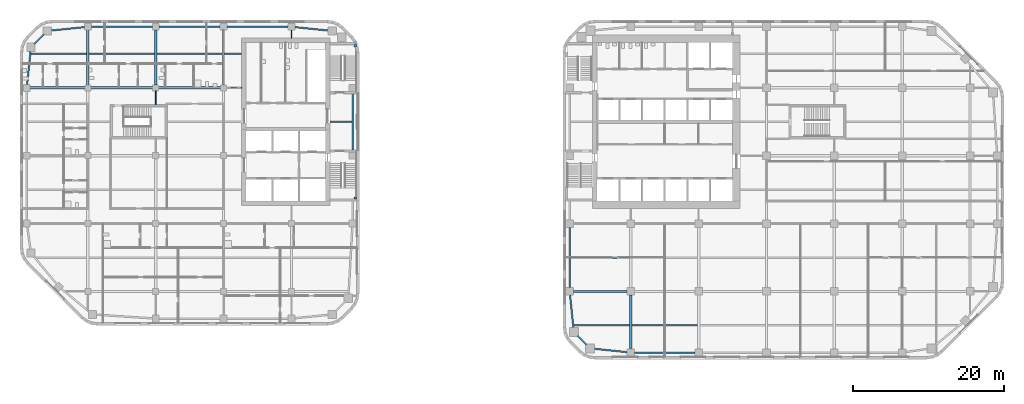
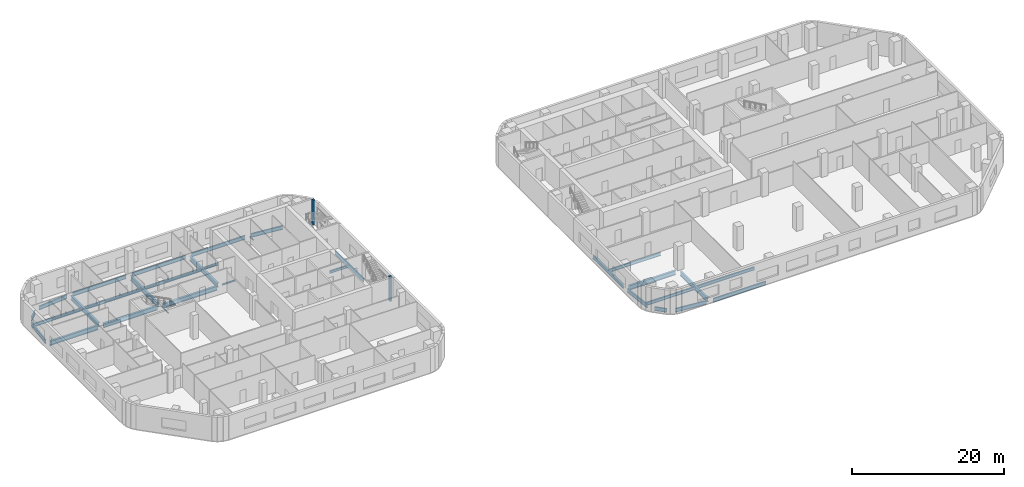
# One storey, part 2 of 16: 32 beams, 2 members.
"""IFC4 building model written with IfcOpenShell, lengths in metres."""

from ifc_helpers import new_model, si_unit, direction, frame, origin, origin_2d, place, context, subcontext, project, spatial, rectangle, i_section, extrude, material, material_profile, profile_set, type_object, element, save


model = new_model("IFC4")

# Units and contexts
model_context = context("Model", 3, precision=1e-05, world=origin(), true_north=direction((0.0, 1.0)))
body_context = subcontext(model_context, "Body", "Model", "MODEL_VIEW")
ifc_project = project(units=[si_unit("LENGTHUNIT", "METRE"), si_unit("AREAUNIT", "SQUARE_METRE"), si_unit("VOLUMEUNIT", "CUBIC_METRE"), si_unit("PLANEANGLEUNIT", "RADIAN"), si_unit("MASSUNIT", "GRAM", prefix="KILO")], contexts=[model_context])

# Site, building, storey
site_placement = place(None, origin())
site = spatial("IfcSite", under=ifc_project, at=site_placement, CompositionType="ELEMENT")
building_placement = place(site_placement, origin())
building = spatial("IfcBuilding", under=site, at=building_placement, Name="Cinnabar Reach Civic Tower", CompositionType="ELEMENT")
storey_placement = place(building_placement, frame((0.0, 0.0, 34.0)))
storey = spatial("IfcBuildingStorey", under=building, at=storey_placement, Name="L07", CompositionType="ELEMENT", Elevation=34.0)

# Beams
ifc_material_1 = material(Name="Steel Q355B", Category="steel")
ifc_material_profile_1 = material_profile(ifc_material_1, i_section(OverallWidth=0.099, OverallDepth=0.198, WebThickness=0.0045, FlangeThickness=0.007, FilletRadius=0.013, at=origin_2d()), Name="HN200x100x5.5x8")
ifc_profile_set_1 = profile_set([ifc_material_profile_1], Name="Steel Q355B")
beam_type_1 = type_object("IfcBeamType", Name="HN200x100x5.5x8 beam R 120", PredefinedType="BEAM", material=ifc_profile_set_1)
beam_1_placement = place(storey_placement, frame((-54.0, 33.752, -0.249), z_axis=(0.0, 1.0, 0.0), x_axis=(-1.0, 0.0, 0.0)))
element("IfcBeam", 1, at=beam_1_placement, inside=storey, type_object=beam_type_1, Name="Girder T2 L07 10", PredefinedType="BEAM", context=body_context, shape_type="SweptSolid", body=[
    extrude(i_section(OverallWidth=0.099, OverallDepth=0.198, WebThickness=0.0045, FlangeThickness=0.007, FilletRadius=0.013, at=origin_2d()), origin(), (0.0, 0.0, 1.0), 1.846),
])
beam_2_placement = place(storey_placement, frame((-36.0, 42.602, -0.249), z_axis=(0.0, 1.0, 0.0), x_axis=(-1.0, 0.0, 0.0)))
element("IfcBeam", 2, at=beam_2_placement, inside=storey, type_object=beam_type_1, Name="Girder T2 L07 20", PredefinedType="BEAM", context=body_context, shape_type="SweptSolid", body=[
    extrude(i_section(OverallWidth=0.099, OverallDepth=0.198, WebThickness=0.0045, FlangeThickness=0.007, FilletRadius=0.013, at=origin_2d()), origin(), (0.0, 0.0, 1.0), 1.046),
])
ifc_material_profile_2 = material_profile(ifc_material_1, i_section(OverallWidth=0.124, OverallDepth=0.248, WebThickness=0.005, FlangeThickness=0.008, FilletRadius=0.013, at=origin_2d()), Name="HN250x125x6x9")
ifc_profile_set_2 = profile_set([ifc_material_profile_2], Name="Steel Q355B")
beam_type_2 = type_object("IfcBeamType", Name="HN250x125x6x9 beam R 120", PredefinedType="BEAM", material=ifc_profile_set_2)
beam_3_placement = place(storey_placement, frame((-44.598, 36.0, -0.274), z_axis=(1.0, 0.0, 0.0), x_axis=(0.0, 1.0, 0.0)))
element("IfcBeam", 3, at=beam_3_placement, inside=storey, type_object=beam_type_2, Name="Girder T2 L07 18", PredefinedType="BEAM", context=body_context, shape_type="SweptSolid", body=[
    extrude(i_section(OverallWidth=0.124, OverallDepth=0.248, WebThickness=0.005, FlangeThickness=0.008, FilletRadius=0.013, at=origin_2d()), origin(), (0.0, 0.0, 1.0), 1.996),
])
ifc_material_profile_3 = material_profile(ifc_material_1, i_section(OverallWidth=0.2, OverallDepth=0.4, WebThickness=0.008, FlangeThickness=0.013, FilletRadius=0.016, at=origin_2d()), Name="HN400x200x8x13")
ifc_profile_set_3 = profile_set([ifc_material_profile_3], Name="Steel Q355B")
beam_type_3 = type_object("IfcBeamType", Name="HN400x200x8x13 beam R 120", PredefinedType="BEAM", material=ifc_profile_set_3)
beam_4_placement = place(storey_placement, frame((-30.898, 31.5, -0.35), z_axis=(1.0, 0.0, 0.0), x_axis=(0.0, 1.0, 0.0)))
element("IfcBeam", 4, at=beam_4_placement, inside=storey, type_object=beam_type_3, Name="Secondary beam T2 L07 14", PredefinedType="BEAM", context=body_context, shape_type="SweptSolid", body=[
    extrude(i_section(OverallWidth=0.2, OverallDepth=0.4, WebThickness=0.008, FlangeThickness=0.013, FilletRadius=0.016, at=origin_2d()), origin(), (0.0, 0.0, 1.0), 2.896),
])
beam_5_placement = place(storey_placement, frame((-44.848, 40.5, -0.35), z_axis=(1.0, 0.0, 0.0), x_axis=(0.0, 1.0, 0.0)))
element("IfcBeam", 5, at=beam_5_placement, inside=storey, type_object=beam_type_3, Name="Secondary beam T2 L07 18", PredefinedType="BEAM", context=body_context, shape_type="SweptSolid", body=[
    extrude(i_section(OverallWidth=0.2, OverallDepth=0.4, WebThickness=0.008, FlangeThickness=0.013, FilletRadius=0.016, at=origin_2d()), origin(), (0.0, 0.0, 1.0), 2.246),
])
ifc_material_profile_4 = material_profile(ifc_material_1, i_section(OverallWidth=0.2, OverallDepth=0.5, WebThickness=0.01, FlangeThickness=0.016, FilletRadius=0.016, at=origin_2d()), Name="HN500x200x10x16")
ifc_profile_set_4 = profile_set([ifc_material_profile_4], Name="Steel Q355B")
beam_type_4 = type_object("IfcBeamType", Name="HN500x200x10x16 beam R 120", PredefinedType="BEAM", material=ifc_profile_set_4)
beam_6_placement = place(storey_placement, frame((-70.5364, 40.5, -0.4), z_axis=(1.0, 0.0, 0.0), x_axis=(0.0, 1.0, 0.0)))
element("IfcBeam", 6, at=beam_6_placement, inside=storey, type_object=beam_type_4, Name="Secondary beam T2 L07 15", PredefinedType="BEAM", context=body_context, shape_type="SweptSolid", body=[
    extrude(i_section(OverallWidth=0.2, OverallDepth=0.5, WebThickness=0.01, FlangeThickness=0.016, FilletRadius=0.016, at=origin_2d()), origin(), (0.0, 0.0, 1.0), 7.3844),
])
for number, where, z_axis, x_axis, name in (
    (7, (-62.848, 40.5, -0.4), (1.0, 0.0, 0.0), (0.0, 1.0, 0.0), "Secondary beam T2 L07 16"),
    (8, (-53.848, 40.5, -0.4), (1.0, 0.0, 0.0), (0.0, 1.0, 0.0), "Secondary beam T2 L07 17"),
):
    element("IfcBeam", number, at=place(storey_placement, frame(where, z_axis=z_axis, x_axis=x_axis)), inside=storey, type_object=beam_type_4, Name=name, PredefinedType="BEAM", context=body_context, shape_type="SweptSolid", body=[
        extrude(i_section(OverallWidth=0.2, OverallDepth=0.5, WebThickness=0.01, FlangeThickness=0.016, FilletRadius=0.016, at=origin_2d()), origin(), (0.0, 0.0, 1.0), 8.696),
    ])
ifc_material_profile_5 = material_profile(ifc_material_1, i_section(OverallWidth=0.2, OverallDepth=0.5, WebThickness=0.01, FlangeThickness=0.016, FilletRadius=0.016, at=origin_2d()), Name="HN500x200x10x16")
ifc_profile_set_5 = profile_set([ifc_material_profile_5], Name="Steel Q355B")
beam_type_5 = type_object("IfcBeamType", Name="HN500x200x10x16 beam R 180", PredefinedType="BEAM", material=ifc_profile_set_5)
beam_7_placement = place(storey_placement, frame((1.4636, 4.5, -0.4), z_axis=(1.0, 0.0, 0.0), x_axis=(0.0, 1.0, 0.0)))
element("IfcBeam", 9, at=beam_7_placement, inside=storey, type_object=beam_type_5, Name="Secondary beam T1 L07 1", PredefinedType="BEAM", context=body_context, shape_type="SweptSolid", body=[
    extrude(i_section(OverallWidth=0.2, OverallDepth=0.5, WebThickness=0.01, FlangeThickness=0.016, FilletRadius=0.016, at=origin_2d()), origin(), (0.0, 0.0, 1.0), 7.3844),
])
beam_8_placement = place(storey_placement, frame((9.152, 4.5, -0.4), z_axis=(1.0, 0.0, 0.0), x_axis=(0.0, 1.0, 0.0)))
element("IfcBeam", 10, at=beam_8_placement, inside=storey, type_object=beam_type_5, Name="Secondary beam T1 L07 2", PredefinedType="BEAM", context=body_context, shape_type="SweptSolid", body=[
    extrude(i_section(OverallWidth=0.2, OverallDepth=0.5, WebThickness=0.01, FlangeThickness=0.016, FilletRadius=0.016, at=origin_2d()), origin(), (0.0, 0.0, 1.0), 8.696),
])
beam_9_placement = place(storey_placement, frame((1.002, 13.5, -0.4), z_axis=(1.0, 0.0, 0.0), x_axis=(0.0, 1.0, 0.0)))
element("IfcBeam", 11, at=beam_9_placement, inside=storey, type_object=beam_type_5, Name="Secondary beam T1 L07 7", PredefinedType="BEAM", context=body_context, shape_type="SweptSolid", body=[
    extrude(i_section(OverallWidth=0.2, OverallDepth=0.5, WebThickness=0.01, FlangeThickness=0.016, FilletRadius=0.016, at=origin_2d()), origin(), (0.0, 0.0, 1.0), 7.846),
])
ifc_material_profile_6 = material_profile(ifc_material_1, i_section(OverallWidth=0.2, OverallDepth=0.6, WebThickness=0.011, FlangeThickness=0.017, FilletRadius=0.016, at=origin_2d()), Name="HN600x200x11x17")
ifc_profile_set_6 = profile_set([ifc_material_profile_6], Name="Steel Q355B")
beam_type_6 = type_object("IfcBeamType", Name="HN600x200x11x17 beam R 120", PredefinedType="BEAM", material=ifc_profile_set_6)
beam_10_placement = place(storey_placement, frame((-27.9, 27.752, -0.45), z_axis=(0.0, 1.0, 0.0), x_axis=(-1.0, 0.0, 0.0)))
element("IfcBeam", 12, at=beam_10_placement, inside=storey, type_object=beam_type_6, Name="Edge beam T2 L07 8", PredefinedType="BEAM", context=body_context, shape_type="SweptSolid", body=[
    extrude(i_section(OverallWidth=0.2, OverallDepth=0.6, WebThickness=0.011, FlangeThickness=0.017, FilletRadius=0.016, at=origin_2d()), origin(), (0.0, 0.0, 1.0), 7.496),
])
beam_11_placement = place(storey_placement, frame((-31.0339, 43.5912, -0.45), z_axis=(-0.994792272495, 0.101923179821, 0.0), x_axis=(-0.101923179821, -0.994792272495, 0.0)))
element("IfcBeam", 13, at=beam_11_placement, inside=storey, type_object=beam_type_6, Name="Edge beam T2 L07 9", PredefinedType="BEAM", context=body_context, shape_type="SweptSolid", body=[
    extrude(i_section(OverallWidth=0.2, OverallDepth=0.6, WebThickness=0.011, FlangeThickness=0.017, FilletRadius=0.016, at=origin_2d()), origin(), (0.0, 0.0, 1.0), 4.5377),
])
for number, where, z_axis, x_axis, name in (
    (14, (-36.452, 44.1, -0.45), (-1.0, 0.0, 0.0), (0.0, -1.0, 0.0), "Edge beam T2 L07 10"),
    (15, (-45.452, 44.1, -0.45), (-1.0, 0.0, 0.0), (0.0, -1.0, 0.0), "Edge beam T2 L07 11"),
    (16, (-54.452, 44.1, -0.45), (-1.0, 0.0, 0.0), (0.0, -1.0, 0.0), "Edge beam T2 L07 12"),
):
    element("IfcBeam", number, at=place(storey_placement, frame(where, z_axis=z_axis, x_axis=x_axis)), inside=storey, type_object=beam_type_6, Name=name, PredefinedType="BEAM", context=body_context, shape_type="SweptSolid", body=[
        extrude(i_section(OverallWidth=0.2, OverallDepth=0.6, WebThickness=0.011, FlangeThickness=0.017, FilletRadius=0.016, at=origin_2d()), origin(), (0.0, 0.0, 1.0), 8.096),
    ])
beam_12_placement = place(storey_placement, frame((-63.452, 44.0537, -0.45), z_axis=(-0.994792272495, -0.101923179821, 0.0), x_axis=(0.101923179821, -0.994792272495, 0.0)))
element("IfcBeam", 17, at=beam_12_placement, inside=storey, type_object=beam_type_6, Name="Edge beam T2 L07 13", PredefinedType="BEAM", context=body_context, shape_type="SweptSolid", body=[
    extrude(i_section(OverallWidth=0.2, OverallDepth=0.6, WebThickness=0.011, FlangeThickness=0.017, FilletRadius=0.016, at=origin_2d()), origin(), (0.0, 0.0, 1.0), 4.5377),
])
beam_13_placement = place(storey_placement, frame((-68.8301, 43.1149, -0.45), z_axis=(-0.707106781187, -0.707106781187, 0.0), x_axis=(0.707106781187, -0.707106781187, 0.0)))
element("IfcBeam", 18, at=beam_13_placement, inside=storey, type_object=beam_type_6, Name="Edge beam T2 L07 14", PredefinedType="BEAM", context=body_context, shape_type="SweptSolid", body=[
    extrude(i_section(OverallWidth=0.2, OverallDepth=0.6, WebThickness=0.011, FlangeThickness=0.017, FilletRadius=0.016, at=origin_2d()), origin(), (0.0, 0.0, 1.0), 1.817),
])
beam_14_placement = place(storey_placement, frame((-70.5912, 40.9661, -0.45), z_axis=(-0.101923179821, -0.994792272495, 0.0), x_axis=(0.994792272495, -0.101923179821, 0.0)))
element("IfcBeam", 19, at=beam_14_placement, inside=storey, type_object=beam_type_6, Name="Edge beam T2 L07 15", PredefinedType="BEAM", context=body_context, shape_type="SweptSolid", body=[
    extrude(i_section(OverallWidth=0.2, OverallDepth=0.6, WebThickness=0.011, FlangeThickness=0.017, FilletRadius=0.016, at=origin_2d()), origin(), (0.0, 0.0, 1.0), 4.5377),
])
ifc_material_profile_7 = material_profile(ifc_material_1, i_section(OverallWidth=0.2, OverallDepth=0.6, WebThickness=0.011, FlangeThickness=0.017, FilletRadius=0.016, at=origin_2d()), Name="HN600x200x11x17")
ifc_profile_set_7 = profile_set([ifc_material_profile_7], Name="Steel Q355B")
beam_type_7 = type_object("IfcBeamType", Name="HN600x200x11x17 beam R 180", PredefinedType="BEAM", material=ifc_profile_set_7)
beam_15_placement = place(storey_placement, frame((4.0839, 1.4037, -0.45), z_axis=(0.994791228755, -0.101933366432, 0.0), x_axis=(0.101933366432, 0.994791228755, 0.0)))
element("IfcBeam", 20, at=beam_15_placement, inside=storey, type_object=beam_type_7, Name="Edge beam T1 L07 1", PredefinedType="BEAM", context=body_context, shape_type="SweptSolid", body=[
    extrude(i_section(OverallWidth=0.2, OverallDepth=0.6, WebThickness=0.011, FlangeThickness=0.017, FilletRadius=0.016, at=origin_2d()), origin(), (0.0, 0.0, 1.0), 4.4372),
])
for number, where, z_axis, x_axis, name in (
    (21, (9.502, 0.9, -0.45), (1.0, 0.0, 0.0), (0.0, 1.0, 0.0), "Edge beam T1 L07 2"),
    (22, (0.9, 17.498, -0.45), (0.0, -1.0, 0.0), (1.0, 0.0, 0.0), "Edge beam T1 L07 22"),
):
    element("IfcBeam", number, at=place(storey_placement, frame(where, z_axis=z_axis, x_axis=x_axis)), inside=storey, type_object=beam_type_7, Name=name, PredefinedType="BEAM", context=body_context, shape_type="SweptSolid", body=[
        extrude(i_section(OverallWidth=0.2, OverallDepth=0.6, WebThickness=0.011, FlangeThickness=0.017, FilletRadius=0.016, at=origin_2d()), origin(), (0.0, 0.0, 1.0), 7.996),
    ])
beam_16_placement = place(storey_placement, frame((0.9514, 8.498, -0.45), z_axis=(0.101933366432, -0.994791228755, 0.0), x_axis=(0.994791228755, 0.101933366432, 0.0)))
element("IfcBeam", 23, at=beam_16_placement, inside=storey, type_object=beam_type_7, Name="Edge beam T1 L07 23", PredefinedType="BEAM", context=body_context, shape_type="SweptSolid", body=[
    extrude(i_section(OverallWidth=0.2, OverallDepth=0.6, WebThickness=0.011, FlangeThickness=0.017, FilletRadius=0.016, at=origin_2d()), origin(), (0.0, 0.0, 1.0), 4.4372),
])
beam_17_placement = place(storey_placement, frame((1.9351, 3.1199, -0.45), z_axis=(0.707106781187, -0.707106781187, 0.0), x_axis=(0.707106781187, 0.707106781187, 0.0)))
element("IfcBeam", 24, at=beam_17_placement, inside=storey, type_object=beam_type_7, Name="Edge beam T1 L07 24", PredefinedType="BEAM", context=body_context, shape_type="SweptSolid", body=[
    extrude(i_section(OverallWidth=0.2, OverallDepth=0.6, WebThickness=0.011, FlangeThickness=0.017, FilletRadius=0.016, at=origin_2d()), origin(), (0.0, 0.0, 1.0), 1.6756),
])
ifc_material_profile_8 = material_profile(ifc_material_1, i_section(OverallWidth=0.3, OverallDepth=0.692, WebThickness=0.013, FlangeThickness=0.02, FilletRadius=0.016, at=origin_2d()), Name="HN692x300x13x20")
ifc_profile_set_8 = profile_set([ifc_material_profile_8], Name="Steel Q355B")
beam_type_8 = type_object("IfcBeamType", Name="HN692x300x13x20 beam R 120", PredefinedType="BEAM", material=ifc_profile_set_8)
for number, where, z_axis, x_axis, name in (
    (25, (-63.0, 36.402, -0.496), (0.0, 1.0, 0.0), (-1.0, 0.0, 0.0), "Girder T2 L07 5"),
    (26, (-54.0, 36.402, -0.496), (0.0, 1.0, 0.0), (-1.0, 0.0, 0.0), "Girder T2 L07 11"),
    (27, (-45.0, 36.402, -0.496), (0.0, 1.0, 0.0), (-1.0, 0.0, 0.0), "Girder T2 L07 16"),
):
    element("IfcBeam", number, at=place(storey_placement, frame(where, z_axis=z_axis, x_axis=x_axis)), inside=storey, type_object=beam_type_8, Name=name, PredefinedType="BEAM", context=body_context, shape_type="SweptSolid", body=[
        extrude(i_section(OverallWidth=0.3, OverallDepth=0.692, WebThickness=0.013, FlangeThickness=0.02, FilletRadius=0.016, at=origin_2d()), origin(), (0.0, 0.0, 1.0), 7.246),
    ])
ifc_material_profile_9 = material_profile(ifc_material_1, i_section(OverallWidth=0.3, OverallDepth=0.692, WebThickness=0.013, FlangeThickness=0.02, FilletRadius=0.016, at=origin_2d()), Name="HN692x300x13x20")
ifc_profile_set_9 = profile_set([ifc_material_profile_9], Name="Steel Q355B")
beam_type_9 = type_object("IfcBeamType", Name="HN692x300x13x20 beam R 180", PredefinedType="BEAM", material=ifc_profile_set_9)
beam_18_placement = place(storey_placement, frame((9.0, 1.402, -0.496), z_axis=(0.0, 1.0, 0.0), x_axis=(-1.0, 0.0, 0.0)))
element("IfcBeam", 28, at=beam_18_placement, inside=storey, type_object=beam_type_9, Name="Girder T1 L07 1", PredefinedType="BEAM", context=body_context, shape_type="SweptSolid", body=[
    extrude(i_section(OverallWidth=0.3, OverallDepth=0.692, WebThickness=0.013, FlangeThickness=0.02, FilletRadius=0.016, at=origin_2d()), origin(), (0.0, 0.0, 1.0), 7.096),
])
ifc_material_profile_10 = material_profile(ifc_material_1, i_section(OverallWidth=0.3, OverallDepth=0.7, WebThickness=0.013, FlangeThickness=0.024, FilletRadius=0.02, at=origin_2d()), Name="HN700x300x13x24")
ifc_profile_set_10 = profile_set([ifc_material_profile_10], Name="Steel Q355B")
beam_type_10 = type_object("IfcBeamType", Name="HN700x300x13x24 beam R 120", PredefinedType="BEAM", material=ifc_profile_set_10)
beam_19_placement = place(storey_placement, frame((-70.648, 36.0, -0.5), z_axis=(1.0, 0.0, 0.0), x_axis=(0.0, 1.0, 0.0)))
element("IfcBeam", 29, at=beam_19_placement, inside=storey, type_object=beam_type_10, Name="Girder T2 L07 15", PredefinedType="BEAM", context=body_context, shape_type="SweptSolid", body=[
    extrude(i_section(OverallWidth=0.3, OverallDepth=0.7, WebThickness=0.013, FlangeThickness=0.024, FilletRadius=0.02, at=origin_2d()), origin(), (0.0, 0.0, 1.0), 7.246),
])
for number, where, z_axis, x_axis, name in (
    (30, (-62.598, 36.0, -0.5), (1.0, 0.0, 0.0), (0.0, 1.0, 0.0), "Girder T2 L07 16"),
    (31, (-53.598, 36.0, -0.5), (1.0, 0.0, 0.0), (0.0, 1.0, 0.0), "Girder T2 L07 17"),
):
    element("IfcBeam", number, at=place(storey_placement, frame(where, z_axis=z_axis, x_axis=x_axis)), inside=storey, type_object=beam_type_10, Name=name, PredefinedType="BEAM", context=body_context, shape_type="SweptSolid", body=[
        extrude(i_section(OverallWidth=0.3, OverallDepth=0.7, WebThickness=0.013, FlangeThickness=0.024, FilletRadius=0.02, at=origin_2d()), origin(), (0.0, 0.0, 1.0), 8.196),
    ])
ifc_material_profile_11 = material_profile(ifc_material_1, i_section(OverallWidth=0.3, OverallDepth=0.7, WebThickness=0.013, FlangeThickness=0.024, FilletRadius=0.02, at=origin_2d()), Name="HN700x300x13x24")
ifc_profile_set_11 = profile_set([ifc_material_profile_11], Name="Steel Q355B")
beam_type_11 = type_object("IfcBeamType", Name="HN700x300x13x24 beam R 180", PredefinedType="BEAM", material=ifc_profile_set_11)
beam_20_placement = place(storey_placement, frame((1.402, 9.0, -0.5), z_axis=(1.0, 0.0, 0.0), x_axis=(0.0, 1.0, 0.0)))
element("IfcBeam", 32, at=beam_20_placement, inside=storey, type_object=beam_type_11, Name="Girder T1 L07 1", PredefinedType="BEAM", context=body_context, shape_type="SweptSolid", body=[
    extrude(i_section(OverallWidth=0.3, OverallDepth=0.7, WebThickness=0.013, FlangeThickness=0.024, FilletRadius=0.02, at=origin_2d()), origin(), (0.0, 0.0, 1.0), 7.096),
])

# Members
ifc_material_2 = material(Name="Concrete C40", Category="concrete")
ifc_material_profile_12 = material_profile(ifc_material_2, rectangle(XDim=0.3, YDim=0.3, at=origin_2d()), Name="C300")
ifc_profile_set_12 = profile_set([ifc_material_profile_12], Name="Concrete C40")
member_type = type_object("IfcMemberType", Name="T2 stair post 300", PredefinedType="STRUT", material=ifc_profile_set_12)
for number, where, z_axis, x_axis, name in (
    (33, (-27.55, 21.4, 0.0), (0.0, 0.0, 1.0), (1.0, 0.0, 0.0), "Stair post 1"),
    (34, (-27.55, 41.6, 0.0), (0.0, 0.0, 1.0), (1.0, 0.0, 0.0), "Stair post 2"),
):
    element("IfcMember", number, at=place(storey_placement, frame(where, z_axis=z_axis, x_axis=x_axis)), inside=storey, type_object=member_type, Name=name, PredefinedType="STRUT", context=body_context, shape_type="SweptSolid", body=[
        extrude(rectangle(XDim=0.3, YDim=0.3, at=origin_2d()), origin(), (0.0, 0.0, 1.0), 4.0),
    ])

save(model, "model.ifc")
